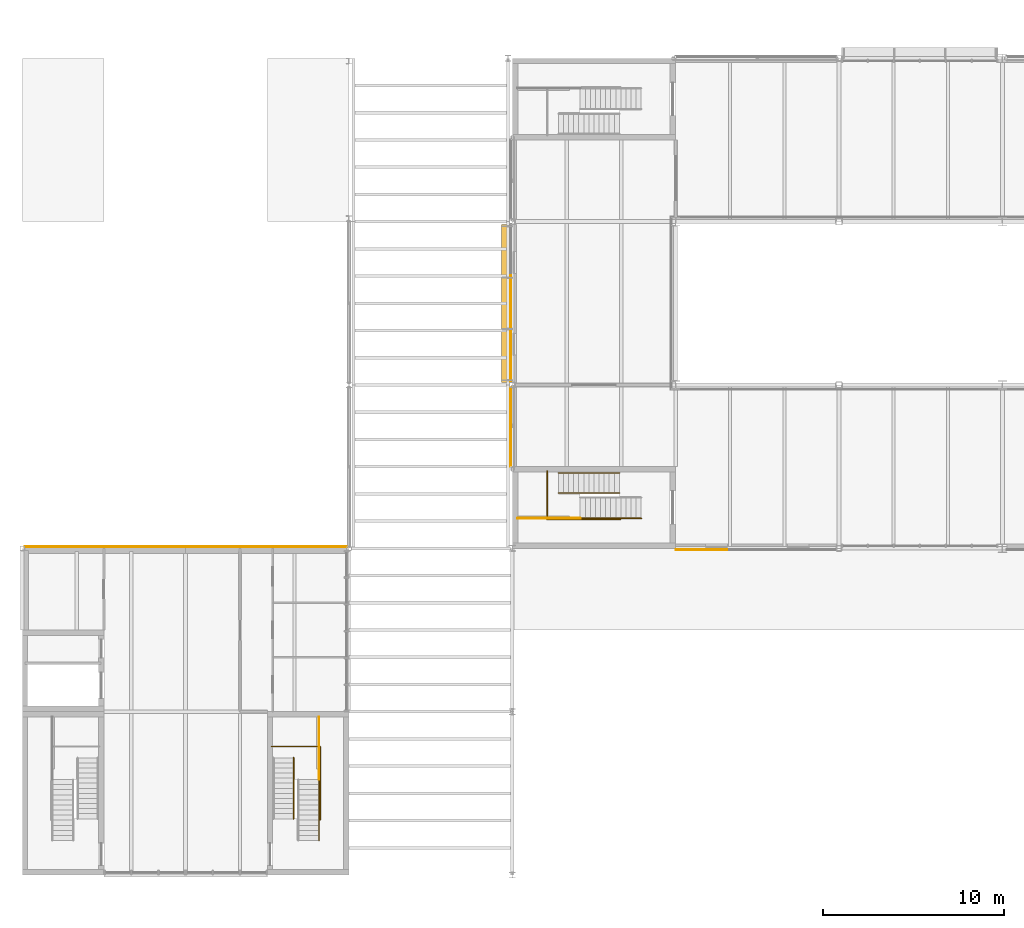
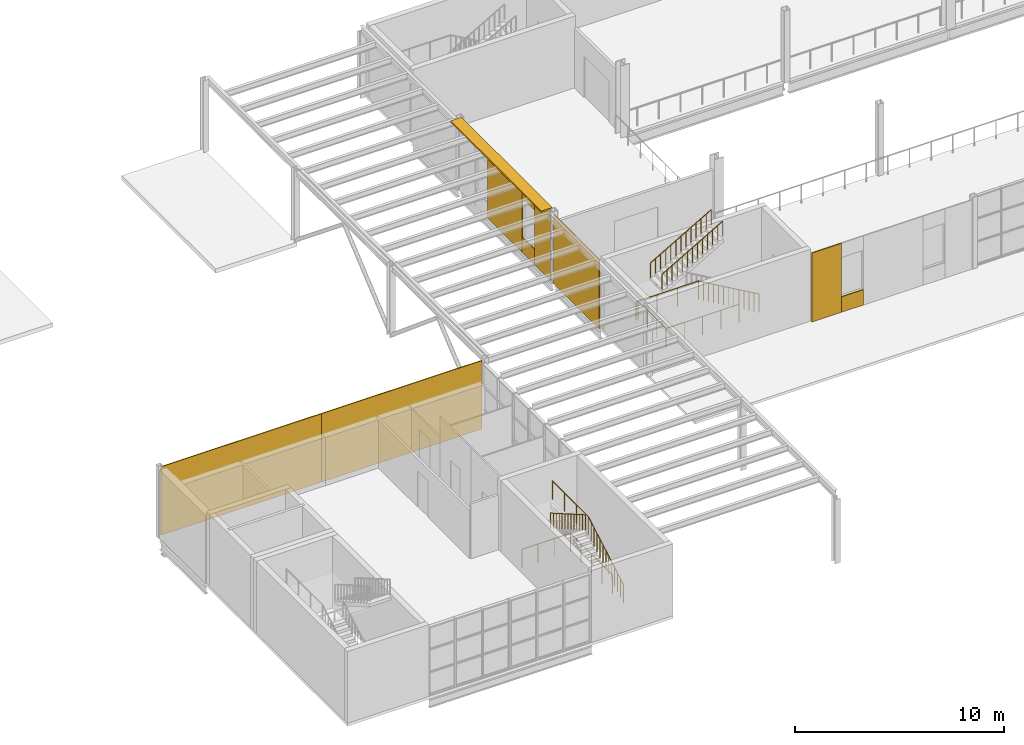
# One storey, part 49 of 57: 9 coverings, 9 railings, 1 shading device.
"""IFC4 building model written with IfcOpenShell, lengths in metres."""

import ifcopenshell
import ifcopenshell.guid

model = None  # the IFC model being written
_history = None  # IfcOwnerHistory: only IFC2X3 demands one
_inside = {}  # id of a spatial element -> (the spatial element, [elements in it])
_under = {}  # id of a project, library or spatial element -> (it, [spatial elements below it])
_declared = {}  # id of a project -> (the project, [libraries it declares])
_typed = {}  # id of a type object -> (the type object, [elements of that type])
_made_of = {}  # id of a material, layer set ... -> (it, [elements and type objects made of it])


def new_model(schema):
    """Start an empty IFC model of exactly this schema.

    Asked for "IFC4X3", IfcOpenShell would pick the latest addendum, in which some entities
    have other attributes; the version numbers below select the first issue.
    IFC2X3 requires an IfcOwnerHistory on every rooted entity: one is made here for all.
    """
    global model, _history
    if schema == "IFC4X3":
        model = ifcopenshell.file(schema_version=(4, 3, 0, 0))
    else:
        model = ifcopenshell.file(schema=schema)
    _inside.clear()
    _under.clear()
    _declared.clear()
    _typed.clear()
    _made_of.clear()
    _history = None
    if model.schema == "IFC2X3":
        org = make("IfcOrganization", Name="unknown")
        user = make(
            "IfcPersonAndOrganization",
            ThePerson=make("IfcPerson", FamilyName="unknown"),
            TheOrganization=org,
        )
        app = make(
            "IfcApplication",
            ApplicationDeveloper=org,
            Version="unknown",
            ApplicationFullName="unknown",
            ApplicationIdentifier="unknown",
        )
        _history = make(
            "IfcOwnerHistory",
            OwningUser=user,
            OwningApplication=app,
            ChangeAction="ADDED",
            CreationDate=0,
        )
    return model


def make(cls, **values):
    """One entity of the class cls with the attributes given. An attribute that is None is left unset."""
    return model.create_entity(
        cls, **{name: value for name, value in values.items() if value is not None}
    )


def rooted(cls, **values):
    """An entity with a GlobalId (a new one), such as an element, a storey or a relation."""
    return make(cls, GlobalId=ifcopenshell.guid.new(), OwnerHistory=_history, **values)


def si_unit(unit_type, name, prefix=None):
    """IfcSIUnit, for example si_unit("LENGTHUNIT", "METRE", prefix="MILLI")."""
    return make("IfcSIUnit", UnitType=unit_type, Prefix=prefix, Name=name)


def assignment(units):
    """IfcUnitAssignment: the units of a project."""
    return None if units is None else make("IfcUnitAssignment", Units=units)


def point(xyz):
    """IfcCartesianPoint."""
    return None if xyz is None else make("IfcCartesianPoint", Coordinates=xyz)


def direction(xyz):
    """IfcDirection."""
    return None if xyz is None else make("IfcDirection", DirectionRatios=xyz)


def frame(location, z_axis=None, x_axis=None):
    """IfcAxis2Placement3D, a coordinate frame: its origin and axes. An axis left out is left unset."""
    return make(
        "IfcAxis2Placement3D",
        Location=point(location),
        Axis=direction(z_axis),
        RefDirection=direction(x_axis),
    )


def frame_2d(location, x_axis=None):
    """IfcAxis2Placement2D, a coordinate frame in the plane: its origin and x axis."""
    return make(
        "IfcAxis2Placement2D", Location=point(location), RefDirection=direction(x_axis)
    )


def origin():
    """The frame at (0, 0, 0) with its axes left unset."""
    return frame((0.0, 0.0, 0.0))


def origin_2d():
    """The frame at (0, 0) in the plane with its x axis left unset."""
    return frame_2d((0.0, 0.0))


def place(relative_to, where):
    """IfcLocalPlacement: puts the frame where relative to a parent placement (None: the world)."""
    return make(
        "IfcLocalPlacement", PlacementRelTo=relative_to, RelativePlacement=where
    )


def context(
    kind, dimensions, precision=None, world=None, true_north=None, identifier=None
):
    """IfcGeometricRepresentationContext, for example the 3D "Model" context."""
    return make(
        "IfcGeometricRepresentationContext",
        ContextIdentifier=identifier,
        ContextType=kind,
        CoordinateSpaceDimension=dimensions,
        Precision=precision,
        WorldCoordinateSystem=world,
        TrueNorth=true_north,
    )


def subcontext(parent, identifier, kind, view, scale=None):
    """IfcGeometricRepresentationSubContext, for example "Body" below "Model"."""
    return make(
        "IfcGeometricRepresentationSubContext",
        ContextIdentifier=identifier,
        ContextType=kind,
        ParentContext=parent,
        TargetScale=scale,
        TargetView=view,
    )


def project(units=None, contexts=None):
    """IfcProject with its units and contexts."""
    return rooted(
        "IfcProject",
        Name="project",
        RepresentationContexts=contexts,
        UnitsInContext=assignment(units),
    )


def spatial(cls, under=None, at=None, **own):
    """A site, building, storey or space (cls), placed at a placement, below another one or the project."""
    s = rooted(cls, ObjectPlacement=at, **own)
    if under is not None:
        _under.setdefault(under.id(), (under, []))[1].append(s)
    return s


def profile(cls, at=None, kind="AREA", **sizes):
    """A parametric profile (cls). Its sizes go by their IFC names, for example OverallWidth=200.0."""
    return make(cls, ProfileType=kind, Position=at, **sizes)


def rectangle(**sizes):
    """IfcRectangleProfileDef."""
    return profile("IfcRectangleProfileDef", **sizes)


def circle(**sizes):
    """IfcCircleProfileDef."""
    return profile("IfcCircleProfileDef", **sizes)


def extrude(swept, where, along, depth):
    """IfcExtrudedAreaSolid: the profile swept, set in the frame where, extruded along a direction by depth."""
    return make(
        "IfcExtrudedAreaSolid",
        SweptArea=swept,
        Position=where,
        ExtrudedDirection=direction(along),
        Depth=depth,
    )


def shape(context_of_items, identifier, shape_type, items):
    """IfcShapeRepresentation: the items that make up one representation, for example the "Body"."""
    return make(
        "IfcShapeRepresentation",
        ContextOfItems=context_of_items,
        RepresentationIdentifier=identifier,
        RepresentationType=shape_type,
        Items=items,
    )


def material(Name=None, Category=None):
    """IfcMaterial."""
    return make("IfcMaterial", Name=Name, Category=Category)


def layer(
    of_material, thickness, ventilated=None, Name=None, Category=None, Priority=None
):
    """IfcMaterialLayer: one layer of a wall or slab, of a material (None: an air gap)."""
    return make(
        "IfcMaterialLayer",
        Material=of_material,
        LayerThickness=thickness,
        IsVentilated=ventilated,
        Name=Name,
        Category=Category,
        Priority=Priority,
    )


def layer_set(layers, Name=None):
    """IfcMaterialLayerSet."""
    return make("IfcMaterialLayerSet", MaterialLayers=layers, LayerSetName=Name)


def made_of(thing, what):
    """Note that an element or type object is made of a material, layer set ...; save() writes the relation."""
    if what is not None:
        _made_of.setdefault(what.id(), (what, []))[1].append(thing)
    return thing


def type_object(cls, material=None, **own):
    """A type object (cls), such as IfcWallType, which elements share."""
    return made_of(rooted(cls, **own), material)


def element(
    cls,
    number,
    at=None,
    inside=None,
    cuts=None,
    type_object=None,
    material=None,
    context=None,
    identifier="Body",
    shape_type=None,
    held_by="IfcProductDefinitionShape",
    body=None,
    shapes=None,
    **own,
):
    """One element of the class cls, such as IfcWall. Its Tag is "e" and its number.

    at: its placement. inside: the storey or other place that contains it. cuts: it is an
    opening in that element (IfcRelVoidsElement). A single representation is given by context,
    identifier, shape_type and body (its items); several are given by shapes. held_by: the class
    of the entity that holds the representations. save() writes the other relations.
    """
    e = rooted(cls, Tag="e%d" % number, ObjectPlacement=at, **own)
    if body is not None:
        shapes = [shape(context, identifier, shape_type, body)]
    if shapes is not None:
        e.Representation = make(held_by, Representations=shapes)
    if inside is not None:
        _inside.setdefault(inside.id(), (inside, []))[1].append(e)
    if cuts is not None:
        rooted(
            "IfcRelVoidsElement", RelatingBuildingElement=cuts, RelatedOpeningElement=e
        )
    if type_object is not None:
        _typed.setdefault(type_object.id(), (type_object, []))[1].append(e)
    return made_of(e, material)


def aggregate(whole, parts):
    """IfcRelAggregates: a whole, such as a stair, and the parts it consists of."""
    return rooted("IfcRelAggregates", RelatingObject=whole, RelatedObjects=parts)


def save(model, path):
    """Write the relations noted so far, then the file.

    IfcRelAggregates (storeys below a building ...), IfcRelContainedInSpatialStructure (elements
    in a storey), IfcRelDefinesByType, IfcRelAssociatesMaterial and IfcRelDeclares: one each for
    every whole, place, type object, material and project.
    """
    for whole, parts in _under.values():
        aggregate(whole, parts)
    for where, things in _inside.values():
        rooted(
            "IfcRelContainedInSpatialStructure",
            RelatedElements=things,
            RelatingStructure=where,
        )
    for kind, things in _typed.values():
        rooted("IfcRelDefinesByType", RelatedObjects=things, RelatingType=kind)
    for what, things in _made_of.values():
        rooted("IfcRelAssociatesMaterial", RelatedObjects=things, RelatingMaterial=what)
    for by, libraries in _declared.values():
        rooted("IfcRelDeclares", RelatingContext=by, RelatedDefinitions=libraries)
    model.write(path)


model = new_model("IFC4")

# Units and contexts
model_context = context("Model", 3, precision=1e-05, world=origin(), true_north=direction((0.0, 1.0)))
body_context = subcontext(model_context, "Body", "Model", "MODEL_VIEW")
ifc_project = project(units=[si_unit("LENGTHUNIT", "METRE"), si_unit("AREAUNIT", "SQUARE_METRE"), si_unit("VOLUMEUNIT", "CUBIC_METRE"), si_unit("PLANEANGLEUNIT", "RADIAN"), si_unit("MASSUNIT", "GRAM", prefix="KILO")], contexts=[model_context])

# Site, building, storey
site_placement = place(None, origin())
site = spatial("IfcSite", under=ifc_project, at=site_placement, CompositionType="ELEMENT")
building_placement = place(site_placement, origin())
building = spatial("IfcBuilding", under=site, at=building_placement, Name="Halyard Row Museum", CompositionType="ELEMENT")
storey_placement = place(building_placement, frame((0.0, 0.0, 5.0)))
storey = spatial("IfcBuildingStorey", under=building, at=storey_placement, Name="L01", CompositionType="ELEMENT", Elevation=5.0)

# Railings
ifc_material_1 = material(Name="Steel Grade 300", Category="steel")
railing_type_1 = type_object("IfcRailingType", Name="Guard GR2 steel balustrade 1100", PredefinedType="GUARDRAIL", material=ifc_material_1)
railing_1_placement = place(storey_placement, frame((34.10009765625, 19.64990234375, 0.16162109375)))
element("IfcRailing", 1, at=railing_1_placement, inside=storey, type_object=railing_type_1, Name="Guard GR033", PredefinedType="GUARDRAIL", context=body_context, shape_type="SweptSolid", body=[
    extrude(circle(Radius=0.02392578125, at=origin_2d()), frame((0.0, 0.0, 1.076171875), z_axis=(-0.866424426198, 0.0, 0.49930823515), x_axis=(0.0, -1.0, 0.0)), (0.0, 0.0, 1.0), 0.3232421875),
    extrude(circle(Radius=0.02392578125, at=origin_2d()), frame((-0.280029296875, 0.0, 1.2373046875), z_axis=(-0.86609757561, 0.0, 0.499874973892), x_axis=(0.0, -1.0, 0.0)), (0.0, 0.0, 1.0), 0.3232421875),
    extrude(circle(Radius=0.02392578125, at=origin_2d()), frame((-0.56005859375, 0.0, 1.39892578125), z_axis=(-0.86609757561, 0.0, 0.499874973892), x_axis=(0.0, -1.0, 0.0)), (0.0, 0.0, 1.0), 0.3232421875),
    extrude(circle(Radius=0.02392578125, at=origin_2d()), frame((-0.840087890625, 0.0, 1.560546875), z_axis=(-0.866424426198, 0.0, 0.49930823515), x_axis=(0.0, -1.0, 0.0)), (0.0, 0.0, 1.0), 0.3232421875),
    extrude(circle(Radius=0.02392578125, at=origin_2d()), frame((-1.1201171875, 0.0, 1.72216796875), z_axis=(-0.86609757561, 0.0, 0.499874973892), x_axis=(0.0, -1.0, 0.0)), (0.0, 0.0, 1.0), 0.3232421875),
    extrude(circle(Radius=0.02392578125, at=origin_2d()), frame((-1.400146484375, 0.0, 1.8837890625), z_axis=(-0.86609757561, 0.0, 0.499874973892), x_axis=(0.0, -1.0, 0.0)), (0.0, 0.0, 1.0), 0.3232421875),
    extrude(circle(Radius=0.02392578125, at=origin_2d()), frame((-1.68017578125, 0.0, 2.04541015625), z_axis=(-0.866424426198, 0.0, 0.49930823515), x_axis=(0.0, -1.0, 0.0)), (0.0, 0.0, 1.0), 0.3232421875),
    extrude(circle(Radius=0.02392578125, at=origin_2d()), frame((-1.960205078125, 0.0, 2.20654296875), z_axis=(-0.865908710228, 0.0, 0.500202064721), x_axis=(0.0, -1.0, 0.0)), (0.0, 0.0, 1.0), 0.322998046875),
    extrude(circle(Radius=0.02392578125, at=origin_2d()), frame((-2.239990234375, 0.0, 2.3681640625), z_axis=(-0.86609757561, 0.0, 0.499874973892), x_axis=(0.0, -1.0, 0.0)), (0.0, 0.0, 1.0), 0.3232421875),
    extrude(circle(Radius=0.02392578125, at=origin_2d()), frame((-2.52001953125, 0.0, 2.52978515625), z_axis=(-0.866424426198, 0.0, 0.49930823515), x_axis=(0.0, -1.0, 0.0)), (0.0, 0.0, 1.0), 0.3232421875),
    extrude(circle(Radius=0.02392578125, at=origin_2d()), frame((-2.800048828125, 0.0, 2.69140625), z_axis=(-0.86609757561, 0.0, 0.499874973892), x_axis=(0.0, -1.0, 0.0)), (0.0, 0.0, 1.0), 0.3232421875),
    extrude(circle(Radius=0.02392578125, at=origin_2d()), frame((-3.080078125, 0.0, 2.85302734375), z_axis=(-0.86609757561, 0.0, 0.499874973892), x_axis=(0.0, -1.0, 0.0)), (0.0, 0.0, 1.0), 0.3232421875),
    extrude(circle(Radius=0.02099609375, at=origin_2d()), origin(), (0.0, 0.0, 1.0), 1.052001953125),
    extrude(circle(Radius=0.02099609375, at=origin_2d()), frame((-0.280029296875, 0.0, 0.161376953125)), (0.0, 0.0, 1.0), 1.052001953125),
    extrude(circle(Radius=0.02099609375, at=origin_2d()), frame((-0.56005859375, 0.0, 0.322998046875)), (0.0, 0.0, 1.0), 1.052001953125),
    extrude(circle(Radius=0.02099609375, at=origin_2d()), frame((-0.840087890625, 0.0, 0.484619140625)), (0.0, 0.0, 1.0), 1.052001953125),
    extrude(circle(Radius=0.02099609375, at=origin_2d()), frame((-1.1201171875, 0.0, 0.64599609375)), (0.0, 0.0, 1.0), 1.052001953125),
    extrude(circle(Radius=0.02099609375, at=origin_2d()), frame((-1.400146484375, 0.0, 0.8076171875)), (0.0, 0.0, 1.0), 1.052001953125),
    extrude(circle(Radius=0.02099609375, at=origin_2d()), frame((-1.68017578125, 0.0, 0.96923828125)), (0.0, 0.0, 1.0), 1.052001953125),
    extrude(circle(Radius=0.02099609375, at=origin_2d()), frame((-1.960205078125, 0.0, 1.130615234375)), (0.0, 0.0, 1.0), 1.052001953125),
    extrude(circle(Radius=0.02099609375, at=origin_2d()), frame((-2.239990234375, 0.0, 1.292236328125)), (0.0, 0.0, 1.0), 1.052001953125),
    extrude(circle(Radius=0.02099609375, at=origin_2d()), frame((-2.52001953125, 0.0, 1.453857421875)), (0.0, 0.0, 1.0), 1.052001953125),
    extrude(circle(Radius=0.02099609375, at=origin_2d()), frame((-2.800048828125, 0.0, 1.615234375)), (0.0, 0.0, 1.0), 1.052001953125),
    extrude(circle(Radius=0.02099609375, at=origin_2d()), frame((-3.080078125, 0.0, 1.77685546875)), (0.0, 0.0, 1.0), 1.052001953125),
    extrude(circle(Radius=0.02099609375, at=origin_2d()), frame((-3.360107421875, 0.0, 1.9384765625)), (0.0, 0.0, 1.0), 1.052001953125),
])
railing_2_placement = place(storey_placement, frame((30.739990234375, 19.64990234375, 2.10009765625)))
element("IfcRailing", 2, at=railing_2_placement, inside=storey, type_object=railing_type_1, Name="Guard GR034", PredefinedType="GUARDRAIL", context=body_context, shape_type="SweptSolid", body=[
    extrude(circle(Radius=0.02392578125, at=origin_2d()), frame((0.0, 0.0, 1.076171875), z_axis=(-1.0, 0.0, 0.0), x_axis=(0.0, -1.0, 0.0)), (0.0, 0.0, 1.0), 3.43994140625),
    extrude(circle(Radius=0.02099609375, at=origin_2d()), origin(), (0.0, 0.0, 1.0), 1.052001953125),
    extrude(circle(Radius=0.02099609375, at=origin_2d()), frame((-1.146728515625, 0.0, 0.0)), (0.0, 0.0, 1.0), 1.052001953125),
    extrude(circle(Radius=0.02099609375, at=origin_2d()), frame((-2.293212890625, 0.0, 0.0)), (0.0, 0.0, 1.0), 1.052001953125),
    extrude(circle(Radius=0.02099609375, at=origin_2d()), frame((-3.43994140625, 0.0, 0.0)), (0.0, 0.0, 1.0), 1.052001953125),
])
railing_3_placement = place(storey_placement, frame((16.35009765625, 1.89990234375, 0.16162109375)))
element("IfcRailing", 3, at=railing_3_placement, inside=storey, type_object=railing_type_1, Name="Guard GR080", PredefinedType="GUARDRAIL", context=body_context, shape_type="SweptSolid", body=[
    extrude(circle(Radius=0.02392578125, at=origin_2d()), frame((0.0, 0.0, 1.076171875), z_axis=(0.0, 0.866424426198, 0.49930823515), x_axis=(-1.0, 0.0, 0.0)), (0.0, 0.0, 1.0), 0.3232421875),
    extrude(circle(Radius=0.02392578125, at=origin_2d()), frame((0.0, 0.280029296875, 1.2373046875), z_axis=(0.0, 0.86609757561, 0.499874973892), x_axis=(-1.0, 0.0, 0.0)), (0.0, 0.0, 1.0), 0.3232421875),
    extrude(circle(Radius=0.02392578125, at=origin_2d()), frame((0.0, 0.56005859375, 1.39892578125), z_axis=(0.0, 0.86609757561, 0.499874973892), x_axis=(-1.0, 0.0, 0.0)), (0.0, 0.0, 1.0), 0.3232421875),
    extrude(circle(Radius=0.02392578125, at=origin_2d()), frame((0.0, 0.840087890625, 1.560546875), z_axis=(0.0, 0.866424426198, 0.49930823515), x_axis=(-1.0, 0.0, 0.0)), (0.0, 0.0, 1.0), 0.3232421875),
    extrude(circle(Radius=0.02392578125, at=origin_2d()), frame((0.0, 1.1201171875, 1.72216796875), z_axis=(0.0, 0.86609757561, 0.499874973892), x_axis=(-1.0, 0.0, 0.0)), (0.0, 0.0, 1.0), 0.3232421875),
    extrude(circle(Radius=0.02392578125, at=origin_2d()), frame((0.0, 1.400146484375, 1.8837890625), z_axis=(0.0, 0.86609757561, 0.499874973892), x_axis=(-1.0, 0.0, 0.0)), (0.0, 0.0, 1.0), 0.3232421875),
    extrude(circle(Radius=0.02392578125, at=origin_2d()), frame((0.0, 1.68017578125, 2.04541015625), z_axis=(0.0, 0.866424426198, 0.49930823515), x_axis=(-1.0, 0.0, 0.0)), (0.0, 0.0, 1.0), 0.3232421875),
    extrude(circle(Radius=0.02392578125, at=origin_2d()), frame((0.0, 1.960205078125, 2.20654296875), z_axis=(0.0, 0.865908710228, 0.500202064721), x_axis=(-1.0, 0.0, 0.0)), (0.0, 0.0, 1.0), 0.322998046875),
    extrude(circle(Radius=0.02392578125, at=origin_2d()), frame((0.0, 2.239990234375, 2.3681640625), z_axis=(0.0, 0.86609757561, 0.499874973892), x_axis=(-1.0, 0.0, 0.0)), (0.0, 0.0, 1.0), 0.3232421875),
    extrude(circle(Radius=0.02392578125, at=origin_2d()), frame((0.0, 2.52001953125, 2.52978515625), z_axis=(0.0, 0.866424426198, 0.49930823515), x_axis=(-1.0, 0.0, 0.0)), (0.0, 0.0, 1.0), 0.3232421875),
    extrude(circle(Radius=0.02392578125, at=origin_2d()), frame((0.0, 2.800048828125, 2.69140625), z_axis=(0.0, 0.86609757561, 0.499874973892), x_axis=(-1.0, 0.0, 0.0)), (0.0, 0.0, 1.0), 0.3232421875),
    extrude(circle(Radius=0.02392578125, at=origin_2d()), frame((0.0, 3.080078125, 2.85302734375), z_axis=(0.0, 0.86609757561, 0.499874973892), x_axis=(-1.0, 0.0, 0.0)), (0.0, 0.0, 1.0), 0.3232421875),
    extrude(circle(Radius=0.02099609375, at=origin_2d()), origin(), (0.0, 0.0, 1.0), 1.052001953125),
    extrude(circle(Radius=0.02099609375, at=origin_2d()), frame((0.0, 0.280029296875, 0.161376953125)), (0.0, 0.0, 1.0), 1.052001953125),
    extrude(circle(Radius=0.02099609375, at=origin_2d()), frame((0.0, 0.56005859375, 0.322998046875)), (0.0, 0.0, 1.0), 1.052001953125),
    extrude(circle(Radius=0.02099609375, at=origin_2d()), frame((0.0, 0.840087890625, 0.484619140625)), (0.0, 0.0, 1.0), 1.052001953125),
    extrude(circle(Radius=0.02099609375, at=origin_2d()), frame((0.0, 1.1201171875, 0.64599609375)), (0.0, 0.0, 1.0), 1.052001953125),
    extrude(circle(Radius=0.02099609375, at=origin_2d()), frame((0.0, 1.400146484375, 0.8076171875)), (0.0, 0.0, 1.0), 1.052001953125),
    extrude(circle(Radius=0.02099609375, at=origin_2d()), frame((0.0, 1.68017578125, 0.96923828125)), (0.0, 0.0, 1.0), 1.052001953125),
    extrude(circle(Radius=0.02099609375, at=origin_2d()), frame((0.0, 1.960205078125, 1.130615234375)), (0.0, 0.0, 1.0), 1.052001953125),
    extrude(circle(Radius=0.02099609375, at=origin_2d()), frame((0.0, 2.239990234375, 1.292236328125)), (0.0, 0.0, 1.0), 1.052001953125),
    extrude(circle(Radius=0.02099609375, at=origin_2d()), frame((0.0, 2.52001953125, 1.453857421875)), (0.0, 0.0, 1.0), 1.052001953125),
    extrude(circle(Radius=0.02099609375, at=origin_2d()), frame((0.0, 2.800048828125, 1.615234375)), (0.0, 0.0, 1.0), 1.052001953125),
    extrude(circle(Radius=0.02099609375, at=origin_2d()), frame((0.0, 3.080078125, 1.77685546875)), (0.0, 0.0, 1.0), 1.052001953125),
    extrude(circle(Radius=0.02099609375, at=origin_2d()), frame((0.0, 3.360107421875, 1.9384765625)), (0.0, 0.0, 1.0), 1.052001953125),
])
railing_4_placement = place(storey_placement, frame((16.35009765625, 5.260009765625, 2.10009765625)))
element("IfcRailing", 4, at=railing_4_placement, inside=storey, type_object=railing_type_1, Name="Guard GR081", PredefinedType="GUARDRAIL", context=body_context, shape_type="SweptSolid", body=[
    extrude(circle(Radius=0.02392578125, at=origin_2d()), frame((0.0, 0.0, 1.076171875), z_axis=(0.0, 1.0, 0.0), x_axis=(-1.0, 0.0, 0.0)), (0.0, 0.0, 1.0), 3.43994140625),
    extrude(circle(Radius=0.02099609375, at=origin_2d()), origin(), (0.0, 0.0, 1.0), 1.052001953125),
    extrude(circle(Radius=0.02099609375, at=origin_2d()), frame((0.0, 1.146728515625, 0.0)), (0.0, 0.0, 1.0), 1.052001953125),
    extrude(circle(Radius=0.02099609375, at=origin_2d()), frame((0.0, 2.293212890625, 0.0)), (0.0, 0.0, 1.0), 1.052001953125),
    extrude(circle(Radius=0.02099609375, at=origin_2d()), frame((0.0, 3.43994140625, 0.0)), (0.0, 0.0, 1.0), 1.052001953125),
])
railing_5_placement = place(storey_placement, frame((32.9599609375, 19.590087890625, 0.0)))
element("IfcRailing", 5, at=railing_5_placement, inside=storey, type_object=railing_type_1, Name="Guard GR152", PredefinedType="GUARDRAIL", context=body_context, shape_type="SweptSolid", body=[
    extrude(circle(Radius=0.02392578125, at=origin_2d()), frame((0.0, 0.0, 1.076171875), z_axis=(-1.0, 0.0, 0.0), x_axis=(0.0, -1.0, 0.0)), (0.0, 0.0, 1.0), 4.0400390625),
    extrude(circle(Radius=0.02392578125, at=origin_2d()), frame((-4.0400390625, 0.0, 1.076171875), z_axis=(0.0, 1.0, 0.0), x_axis=(-1.0, 0.0, 0.0)), (0.0, 0.0, 1.0), 2.669921875),
    extrude(circle(Radius=0.02099609375, at=origin_2d()), origin(), (0.0, 0.0, 1.0), 1.052001953125),
    extrude(circle(Radius=0.02099609375, at=origin_2d()), frame((-1.010009765625, 0.0, 0.0)), (0.0, 0.0, 1.0), 1.052001953125),
    extrude(circle(Radius=0.02099609375, at=origin_2d()), frame((-2.02001953125, 0.0, 0.0)), (0.0, 0.0, 1.0), 1.052001953125),
    extrude(circle(Radius=0.02099609375, at=origin_2d()), frame((-3.030029296875, 0.0, 0.0)), (0.0, 0.0, 1.0), 1.052001953125),
    extrude(circle(Radius=0.02099609375, at=origin_2d()), frame((-4.0400390625, 0.0, 0.0)), (0.0, 0.0, 1.0), 1.052001953125),
    extrude(circle(Radius=0.02099609375, at=origin_2d()), frame((-4.0400390625, 0.889892578125, 0.0)), (0.0, 0.0, 1.0), 1.052001953125),
    extrude(circle(Radius=0.02099609375, at=origin_2d()), frame((-4.0400390625, 1.780029296875, 0.0)), (0.0, 0.0, 1.0), 1.052001953125),
    extrude(circle(Radius=0.02099609375, at=origin_2d()), frame((-4.0400390625, 2.669921875, 0.0)), (0.0, 0.0, 1.0), 1.052001953125),
])
railing_6_placement = place(storey_placement, frame((13.739990234375, 7.080078125, 0.0)))
element("IfcRailing", 6, at=railing_6_placement, inside=storey, type_object=railing_type_1, Name="Guard GR171", PredefinedType="GUARDRAIL", context=body_context, shape_type="SweptSolid", body=[
    extrude(circle(Radius=0.02392578125, at=origin_2d()), frame((0.0, 0.0, 1.076171875), z_axis=(1.0, 0.0, 0.0), x_axis=(0.0, 1.0, 0.0)), (0.0, 0.0, 1.0), 2.669921875),
    extrude(circle(Radius=0.02392578125, at=origin_2d()), frame((2.669921875, 0.0, 1.076171875), z_axis=(0.0, -1.0, 0.0), x_axis=(1.0, 0.0, 0.0)), (0.0, 0.0, 1.0), 4.0400390625),
    extrude(circle(Radius=0.02099609375, at=origin_2d()), origin(), (0.0, 0.0, 1.0), 1.052001953125),
    extrude(circle(Radius=0.02099609375, at=origin_2d()), frame((0.889892578125, 0.0, 0.0)), (0.0, 0.0, 1.0), 1.052001953125),
    extrude(circle(Radius=0.02099609375, at=origin_2d()), frame((1.780029296875, 0.0, 0.0)), (0.0, 0.0, 1.0), 1.052001953125),
    extrude(circle(Radius=0.02099609375, at=origin_2d()), frame((2.669921875, 0.0, 0.0)), (0.0, 0.0, 1.0), 1.052001953125),
    extrude(circle(Radius=0.02099609375, at=origin_2d()), frame((2.669921875, -1.010009765625, 0.0)), (0.0, 0.0, 1.0), 1.052001953125),
    extrude(circle(Radius=0.02099609375, at=origin_2d()), frame((2.669921875, -2.02001953125, 0.0)), (0.0, 0.0, 1.0), 1.052001953125),
    extrude(circle(Radius=0.02099609375, at=origin_2d()), frame((2.669921875, -3.030029296875, 0.0)), (0.0, 0.0, 1.0), 1.052001953125),
    extrude(circle(Radius=0.02099609375, at=origin_2d()), frame((2.669921875, -4.0400390625, 0.0)), (0.0, 0.0, 1.0), 1.052001953125),
])
ifc_material_2 = material(Name="Steel Grade 300", Category="steel")
railing_type_2 = type_object("IfcRailingType", Name="Handrail HR2 steel 900", PredefinedType="HANDRAIL", material=ifc_material_2)
railing_7_placement = place(storey_placement, frame((29.5400390625, 22.14990234375, 2.261474609375)))
element("IfcRailing", 7, at=railing_7_placement, inside=storey, type_object=railing_type_2, Name="Handrail HR050", PredefinedType="HANDRAIL", context=body_context, shape_type="SweptSolid", body=[
    extrude(circle(Radius=0.02392578125, at=origin_2d()), frame((0.0, 0.0, 0.8759765625), z_axis=(0.86609757561, 0.0, 0.499874973892), x_axis=(0.0, 1.0, 0.0)), (0.0, 0.0, 1.0), 0.3232421875),
    extrude(circle(Radius=0.02392578125, at=origin_2d()), frame((0.280029296875, 0.0, 1.03759765625), z_axis=(0.86609757561, 0.0, 0.499874973892), x_axis=(0.0, 1.0, 0.0)), (0.0, 0.0, 1.0), 0.3232421875),
    extrude(circle(Radius=0.02392578125, at=origin_2d()), frame((0.56005859375, 0.0, 1.19921875), z_axis=(0.866235917577, 0.0, 0.499635202023), x_axis=(0.0, 1.0, 0.0)), (0.0, 0.0, 1.0), 0.322998046875),
    extrude(circle(Radius=0.02392578125, at=origin_2d()), frame((0.83984375, 0.0, 1.3603515625), z_axis=(0.86609757561, 0.0, 0.499874973892), x_axis=(0.0, 1.0, 0.0)), (0.0, 0.0, 1.0), 0.3232421875),
    extrude(circle(Radius=0.02392578125, at=origin_2d()), frame((1.119873046875, 0.0, 1.52197265625), z_axis=(0.86609757561, 0.0, 0.499874973892), x_axis=(0.0, 1.0, 0.0)), (0.0, 0.0, 1.0), 0.3232421875),
    extrude(circle(Radius=0.02392578125, at=origin_2d()), frame((1.39990234375, 0.0, 1.68359375), z_axis=(0.866424426198, 0.0, 0.49930823515), x_axis=(0.0, 1.0, 0.0)), (0.0, 0.0, 1.0), 0.3232421875),
    extrude(circle(Radius=0.02392578125, at=origin_2d()), frame((1.679931640625, 0.0, 1.84521484375), z_axis=(0.86609757561, 0.0, 0.499874973892), x_axis=(0.0, 1.0, 0.0)), (0.0, 0.0, 1.0), 0.3232421875),
    extrude(circle(Radius=0.02392578125, at=origin_2d()), frame((1.9599609375, 0.0, 2.0068359375), z_axis=(0.86609757561, 0.0, 0.499874973892), x_axis=(0.0, 1.0, 0.0)), (0.0, 0.0, 1.0), 0.3232421875),
    extrude(circle(Radius=0.02392578125, at=origin_2d()), frame((2.239990234375, 0.0, 2.16845703125), z_axis=(0.866424426198, 0.0, 0.49930823515), x_axis=(0.0, 1.0, 0.0)), (0.0, 0.0, 1.0), 0.3232421875),
    extrude(circle(Radius=0.02392578125, at=origin_2d()), frame((2.52001953125, 0.0, 2.32958984375), z_axis=(0.86609757561, 0.0, 0.499874973892), x_axis=(0.0, 1.0, 0.0)), (0.0, 0.0, 1.0), 0.3232421875),
    extrude(circle(Radius=0.02392578125, at=origin_2d()), frame((2.800048828125, 0.0, 2.4912109375), z_axis=(0.86609757561, 0.0, 0.499874973892), x_axis=(0.0, 1.0, 0.0)), (0.0, 0.0, 1.0), 0.3232421875),
    extrude(circle(Radius=0.02392578125, at=origin_2d()), frame((3.080078125, 0.0, 2.65283203125), z_axis=(0.866235917577, 0.0, 0.499635202023), x_axis=(0.0, 1.0, 0.0)), (0.0, 0.0, 1.0), 0.322998046875),
    extrude(circle(Radius=0.02099609375, at=origin_2d()), origin(), (0.0, 0.0, 1.0), 0.851806640625),
    extrude(circle(Radius=0.02099609375, at=origin_2d()), frame((0.280029296875, 0.0, 0.16162109375)), (0.0, 0.0, 1.0), 0.851806640625),
    extrude(circle(Radius=0.02099609375, at=origin_2d()), frame((0.56005859375, 0.0, 0.3232421875)), (0.0, 0.0, 1.0), 0.851806640625),
    extrude(circle(Radius=0.02099609375, at=origin_2d()), frame((0.83984375, 0.0, 0.484619140625)), (0.0, 0.0, 1.0), 0.851806640625),
    extrude(circle(Radius=0.02099609375, at=origin_2d()), frame((1.119873046875, 0.0, 0.646240234375)), (0.0, 0.0, 1.0), 0.851806640625),
    extrude(circle(Radius=0.02099609375, at=origin_2d()), frame((1.39990234375, 0.0, 0.807861328125)), (0.0, 0.0, 1.0), 0.851806640625),
    extrude(circle(Radius=0.02099609375, at=origin_2d()), frame((1.679931640625, 0.0, 0.96923828125)), (0.0, 0.0, 1.0), 0.851806640625),
    extrude(circle(Radius=0.02099609375, at=origin_2d()), frame((1.9599609375, 0.0, 1.130859375)), (0.0, 0.0, 1.0), 0.851806640625),
    extrude(circle(Radius=0.02099609375, at=origin_2d()), frame((2.239990234375, 0.0, 1.29248046875)), (0.0, 0.0, 1.0), 0.851806640625),
    extrude(circle(Radius=0.02099609375, at=origin_2d()), frame((2.52001953125, 0.0, 1.453857421875)), (0.0, 0.0, 1.0), 0.851806640625),
    extrude(circle(Radius=0.02099609375, at=origin_2d()), frame((2.800048828125, 0.0, 1.615478515625)), (0.0, 0.0, 1.0), 0.851806640625),
    extrude(circle(Radius=0.02099609375, at=origin_2d()), frame((3.080078125, 0.0, 1.777099609375)), (0.0, 0.0, 1.0), 0.851806640625),
    extrude(circle(Radius=0.02099609375, at=origin_2d()), frame((3.35986328125, 0.0, 1.9384765625)), (0.0, 0.0, 1.0), 0.851806640625),
])
railing_8_placement = place(storey_placement, frame((29.5400390625, 21.050048828125, 2.261474609375)))
element("IfcRailing", 8, at=railing_8_placement, inside=storey, type_object=railing_type_2, Name="Handrail HR051", PredefinedType="HANDRAIL", context=body_context, shape_type="SweptSolid", body=[
    extrude(circle(Radius=0.02392578125, at=origin_2d()), frame((0.0, 0.0, 0.8759765625), z_axis=(0.86609757561, 0.0, 0.499874973892), x_axis=(0.0, 1.0, 0.0)), (0.0, 0.0, 1.0), 0.3232421875),
    extrude(circle(Radius=0.02392578125, at=origin_2d()), frame((0.280029296875, 0.0, 1.03759765625), z_axis=(0.86609757561, 0.0, 0.499874973892), x_axis=(0.0, 1.0, 0.0)), (0.0, 0.0, 1.0), 0.3232421875),
    extrude(circle(Radius=0.02392578125, at=origin_2d()), frame((0.56005859375, 0.0, 1.19921875), z_axis=(0.866235917577, 0.0, 0.499635202023), x_axis=(0.0, 1.0, 0.0)), (0.0, 0.0, 1.0), 0.322998046875),
    extrude(circle(Radius=0.02392578125, at=origin_2d()), frame((0.83984375, 0.0, 1.3603515625), z_axis=(0.86609757561, 0.0, 0.499874973892), x_axis=(0.0, 1.0, 0.0)), (0.0, 0.0, 1.0), 0.3232421875),
    extrude(circle(Radius=0.02392578125, at=origin_2d()), frame((1.119873046875, 0.0, 1.52197265625), z_axis=(0.86609757561, 0.0, 0.499874973892), x_axis=(0.0, 1.0, 0.0)), (0.0, 0.0, 1.0), 0.3232421875),
    extrude(circle(Radius=0.02392578125, at=origin_2d()), frame((1.39990234375, 0.0, 1.68359375), z_axis=(0.866424426198, 0.0, 0.49930823515), x_axis=(0.0, 1.0, 0.0)), (0.0, 0.0, 1.0), 0.3232421875),
    extrude(circle(Radius=0.02392578125, at=origin_2d()), frame((1.679931640625, 0.0, 1.84521484375), z_axis=(0.86609757561, 0.0, 0.499874973892), x_axis=(0.0, 1.0, 0.0)), (0.0, 0.0, 1.0), 0.3232421875),
    extrude(circle(Radius=0.02392578125, at=origin_2d()), frame((1.9599609375, 0.0, 2.0068359375), z_axis=(0.86609757561, 0.0, 0.499874973892), x_axis=(0.0, 1.0, 0.0)), (0.0, 0.0, 1.0), 0.3232421875),
    extrude(circle(Radius=0.02392578125, at=origin_2d()), frame((2.239990234375, 0.0, 2.16845703125), z_axis=(0.866424426198, 0.0, 0.49930823515), x_axis=(0.0, 1.0, 0.0)), (0.0, 0.0, 1.0), 0.3232421875),
    extrude(circle(Radius=0.02392578125, at=origin_2d()), frame((2.52001953125, 0.0, 2.32958984375), z_axis=(0.86609757561, 0.0, 0.499874973892), x_axis=(0.0, 1.0, 0.0)), (0.0, 0.0, 1.0), 0.3232421875),
    extrude(circle(Radius=0.02392578125, at=origin_2d()), frame((2.800048828125, 0.0, 2.4912109375), z_axis=(0.86609757561, 0.0, 0.499874973892), x_axis=(0.0, 1.0, 0.0)), (0.0, 0.0, 1.0), 0.3232421875),
    extrude(circle(Radius=0.02392578125, at=origin_2d()), frame((3.080078125, 0.0, 2.65283203125), z_axis=(0.866235917577, 0.0, 0.499635202023), x_axis=(0.0, 1.0, 0.0)), (0.0, 0.0, 1.0), 0.322998046875),
    extrude(circle(Radius=0.02099609375, at=origin_2d()), origin(), (0.0, 0.0, 1.0), 0.851806640625),
    extrude(circle(Radius=0.02099609375, at=origin_2d()), frame((0.280029296875, 0.0, 0.16162109375)), (0.0, 0.0, 1.0), 0.851806640625),
    extrude(circle(Radius=0.02099609375, at=origin_2d()), frame((0.56005859375, 0.0, 0.3232421875)), (0.0, 0.0, 1.0), 0.851806640625),
    extrude(circle(Radius=0.02099609375, at=origin_2d()), frame((0.83984375, 0.0, 0.484619140625)), (0.0, 0.0, 1.0), 0.851806640625),
    extrude(circle(Radius=0.02099609375, at=origin_2d()), frame((1.119873046875, 0.0, 0.646240234375)), (0.0, 0.0, 1.0), 0.851806640625),
    extrude(circle(Radius=0.02099609375, at=origin_2d()), frame((1.39990234375, 0.0, 0.807861328125)), (0.0, 0.0, 1.0), 0.851806640625),
    extrude(circle(Radius=0.02099609375, at=origin_2d()), frame((1.679931640625, 0.0, 0.96923828125)), (0.0, 0.0, 1.0), 0.851806640625),
    extrude(circle(Radius=0.02099609375, at=origin_2d()), frame((1.9599609375, 0.0, 1.130859375)), (0.0, 0.0, 1.0), 0.851806640625),
    extrude(circle(Radius=0.02099609375, at=origin_2d()), frame((2.239990234375, 0.0, 1.29248046875)), (0.0, 0.0, 1.0), 0.851806640625),
    extrude(circle(Radius=0.02099609375, at=origin_2d()), frame((2.52001953125, 0.0, 1.453857421875)), (0.0, 0.0, 1.0), 0.851806640625),
    extrude(circle(Radius=0.02099609375, at=origin_2d()), frame((2.800048828125, 0.0, 1.615478515625)), (0.0, 0.0, 1.0), 0.851806640625),
    extrude(circle(Radius=0.02099609375, at=origin_2d()), frame((3.080078125, 0.0, 1.777099609375)), (0.0, 0.0, 1.0), 0.851806640625),
    extrude(circle(Radius=0.02099609375, at=origin_2d()), frame((3.35986328125, 0.0, 1.9384765625)), (0.0, 0.0, 1.0), 0.851806640625),
])
railing_9_placement = place(storey_placement, frame((14.949951171875, 6.4599609375, 2.261474609375)))
element("IfcRailing", 9, at=railing_9_placement, inside=storey, type_object=railing_type_2, Name="Handrail HR117", PredefinedType="HANDRAIL", context=body_context, shape_type="SweptSolid", body=[
    extrude(circle(Radius=0.02392578125, at=origin_2d()), frame((0.0, 0.0, 0.8759765625), z_axis=(0.0, -0.86609757561, 0.499874973892), x_axis=(1.0, 0.0, 0.0)), (0.0, 0.0, 1.0), 0.3232421875),
    extrude(circle(Radius=0.02392578125, at=origin_2d()), frame((0.0, -0.280029296875, 1.03759765625), z_axis=(0.0, -0.86609757561, 0.499874973892), x_axis=(1.0, 0.0, 0.0)), (0.0, 0.0, 1.0), 0.3232421875),
    extrude(circle(Radius=0.02392578125, at=origin_2d()), frame((0.0, -0.56005859375, 1.19921875), z_axis=(0.0, -0.866235917577, 0.499635202023), x_axis=(1.0, 0.0, 0.0)), (0.0, 0.0, 1.0), 0.322998046875),
    extrude(circle(Radius=0.02392578125, at=origin_2d()), frame((0.0, -0.83984375, 1.3603515625), z_axis=(0.0, -0.86609757561, 0.499874973892), x_axis=(1.0, 0.0, 0.0)), (0.0, 0.0, 1.0), 0.3232421875),
    extrude(circle(Radius=0.02392578125, at=origin_2d()), frame((0.0, -1.119873046875, 1.52197265625), z_axis=(0.0, -0.86609757561, 0.499874973892), x_axis=(1.0, 0.0, 0.0)), (0.0, 0.0, 1.0), 0.3232421875),
    extrude(circle(Radius=0.02392578125, at=origin_2d()), frame((0.0, -1.39990234375, 1.68359375), z_axis=(0.0, -0.866424426198, 0.49930823515), x_axis=(1.0, 0.0, 0.0)), (0.0, 0.0, 1.0), 0.3232421875),
    extrude(circle(Radius=0.02392578125, at=origin_2d()), frame((0.0, -1.679931640625, 1.84521484375), z_axis=(0.0, -0.86609757561, 0.499874973892), x_axis=(1.0, 0.0, 0.0)), (0.0, 0.0, 1.0), 0.3232421875),
    extrude(circle(Radius=0.02392578125, at=origin_2d()), frame((0.0, -1.9599609375, 2.0068359375), z_axis=(0.0, -0.86609757561, 0.499874973892), x_axis=(1.0, 0.0, 0.0)), (0.0, 0.0, 1.0), 0.3232421875),
    extrude(circle(Radius=0.02392578125, at=origin_2d()), frame((0.0, -2.239990234375, 2.16845703125), z_axis=(0.0, -0.866424426198, 0.49930823515), x_axis=(1.0, 0.0, 0.0)), (0.0, 0.0, 1.0), 0.3232421875),
    extrude(circle(Radius=0.02392578125, at=origin_2d()), frame((0.0, -2.52001953125, 2.32958984375), z_axis=(0.0, -0.86609757561, 0.499874973892), x_axis=(1.0, 0.0, 0.0)), (0.0, 0.0, 1.0), 0.3232421875),
    extrude(circle(Radius=0.02392578125, at=origin_2d()), frame((0.0, -2.800048828125, 2.4912109375), z_axis=(0.0, -0.86609757561, 0.499874973892), x_axis=(1.0, 0.0, 0.0)), (0.0, 0.0, 1.0), 0.3232421875),
    extrude(circle(Radius=0.02392578125, at=origin_2d()), frame((0.0, -3.080078125, 2.65283203125), z_axis=(0.0, -0.866235917577, 0.499635202023), x_axis=(1.0, 0.0, 0.0)), (0.0, 0.0, 1.0), 0.322998046875),
    extrude(circle(Radius=0.02099609375, at=origin_2d()), origin(), (0.0, 0.0, 1.0), 0.851806640625),
    extrude(circle(Radius=0.02099609375, at=origin_2d()), frame((0.0, -0.280029296875, 0.16162109375)), (0.0, 0.0, 1.0), 0.851806640625),
    extrude(circle(Radius=0.02099609375, at=origin_2d()), frame((0.0, -0.56005859375, 0.3232421875)), (0.0, 0.0, 1.0), 0.851806640625),
    extrude(circle(Radius=0.02099609375, at=origin_2d()), frame((0.0, -0.83984375, 0.484619140625)), (0.0, 0.0, 1.0), 0.851806640625),
    extrude(circle(Radius=0.02099609375, at=origin_2d()), frame((0.0, -1.119873046875, 0.646240234375)), (0.0, 0.0, 1.0), 0.851806640625),
    extrude(circle(Radius=0.02099609375, at=origin_2d()), frame((0.0, -1.39990234375, 0.807861328125)), (0.0, 0.0, 1.0), 0.851806640625),
    extrude(circle(Radius=0.02099609375, at=origin_2d()), frame((0.0, -1.679931640625, 0.96923828125)), (0.0, 0.0, 1.0), 0.851806640625),
    extrude(circle(Radius=0.02099609375, at=origin_2d()), frame((0.0, -1.9599609375, 1.130859375)), (0.0, 0.0, 1.0), 0.851806640625),
    extrude(circle(Radius=0.02099609375, at=origin_2d()), frame((0.0, -2.239990234375, 1.29248046875)), (0.0, 0.0, 1.0), 0.851806640625),
    extrude(circle(Radius=0.02099609375, at=origin_2d()), frame((0.0, -2.52001953125, 1.453857421875)), (0.0, 0.0, 1.0), 0.851806640625),
    extrude(circle(Radius=0.02099609375, at=origin_2d()), frame((0.0, -2.800048828125, 1.615478515625)), (0.0, 0.0, 1.0), 0.851806640625),
    extrude(circle(Radius=0.02099609375, at=origin_2d()), frame((0.0, -3.080078125, 1.777099609375)), (0.0, 0.0, 1.0), 0.851806640625),
    extrude(circle(Radius=0.02099609375, at=origin_2d()), frame((0.0, -3.35986328125, 1.9384765625)), (0.0, 0.0, 1.0), 0.851806640625),
])

# Coverings
ifc_material_3 = material(Name="Fire-retardant Type A timber battens", Category="wood")
ifc_layer_1 = layer(ifc_material_3, 0.050048828125)
ifc_layer_set_1 = layer_set([ifc_layer_1], Name="Fire-retardant Type A timber battens")
covering_type = type_object("IfcCoveringType", Name="Timber batten cladding 50", PredefinedType="CLADDING", material=ifc_layer_set_1)
covering_1_placement = place(storey_placement, frame((26.9150390625, 33.14990234375, 0.0), z_axis=(0.0, 0.0, 1.0), x_axis=(0.0, -1.0, 0.0)))
element("IfcCovering", 10, at=covering_1_placement, inside=storey, type_object=covering_type, Name="Cladding CLL01-005", PredefinedType="CLADDING", context=body_context, shape_type="SweptSolid", body=[
    extrude(rectangle(XDim=3.2998046875, YDim=0.050048828125, at=frame_2d((1.64990234375, 0.0))), origin(), (0.0, 0.0, 1.0), 4.034912109375),
])
covering_2_placement = place(storey_placement, frame((26.9150390625, 28.64990234375, 0.0), z_axis=(0.0, 0.0, 1.0), x_axis=(0.0, -1.0, 0.0)))
element("IfcCovering", 11, at=covering_2_placement, inside=storey, type_object=covering_type, Name="Cladding CLL01-006", PredefinedType="CLADDING", context=body_context, shape_type="SweptSolid", body=[
    extrude(rectangle(XDim=1.5, YDim=0.050048828125, at=frame_2d((0.75, 0.0))), origin(), (0.0, 0.0, 1.0), 4.034912109375),
])
covering_3_placement = place(storey_placement, frame((26.9150390625, 29.85009765625, 0.0), z_axis=(0.0, 0.0, 1.0), x_axis=(0.0, -1.0, 0.0)))
element("IfcCovering", 12, at=covering_3_placement, inside=storey, type_object=covering_type, Name="Cladding CLL01-009", PredefinedType="CLADDING", context=body_context, shape_type="SweptSolid", body=[
    extrude(rectangle(XDim=1.2001953125, YDim=0.050048828125, at=frame_2d((0.60009765625, 0.0))), origin(), (0.0, 0.0, 1.0), 0.89990234375),
])
covering_4_placement = place(storey_placement, frame((26.9150390625, 29.85009765625, 3.199951171875), z_axis=(0.0, 0.0, 1.0), x_axis=(0.0, -1.0, 0.0)))
element("IfcCovering", 13, at=covering_4_placement, inside=storey, type_object=covering_type, Name="Cladding CLL01-010", PredefinedType="CLADDING", context=body_context, shape_type="SweptSolid", body=[
    extrude(rectangle(XDim=1.2001953125, YDim=0.050048828125, at=frame_2d((0.60009765625, 0.0))), origin(), (0.0, 0.0, 1.0), 0.8349609375),
])
covering_5_placement = place(storey_placement, frame((26.9150390625, 26.85009765625, 0.0), z_axis=(0.0, 0.0, 1.0), x_axis=(0.0, -1.0, 0.0)))
element("IfcCovering", 14, at=covering_5_placement, inside=storey, type_object=covering_type, Name="Cladding CLL01-011", PredefinedType="CLADDING", context=body_context, shape_type="SweptSolid", body=[
    extrude(rectangle(XDim=4.35009765625, YDim=0.050048828125, at=frame_2d((2.175048828125, 0.0))), origin(), (0.0, 0.0, 1.0), 4.034912109375),
])
covering_6_placement = place(storey_placement, frame((36.0, 17.9150390625, 0.0), z_axis=(0.0, 0.0, 1.0), x_axis=(1.0, 0.0, 0.0)))
element("IfcCovering", 15, at=covering_6_placement, inside=storey, type_object=covering_type, Name="Cladding CLL01-012", PredefinedType="CLADDING", context=body_context, shape_type="SweptSolid", body=[
    extrude(rectangle(XDim=1.64990234375, YDim=0.050048828125, at=frame_2d((0.824951171875, 0.0))), origin(), (0.0, 0.0, 1.0), 4.034912109375),
])
covering_7_placement = place(storey_placement, frame((37.64990234375, 17.9150390625, 0.0), z_axis=(0.0, 0.0, 1.0), x_axis=(1.0, 0.0, 0.0)))
element("IfcCovering", 16, at=covering_7_placement, inside=storey, type_object=covering_type, Name="Cladding CLL01-015", PredefinedType="CLADDING", context=body_context, shape_type="SweptSolid", body=[
    extrude(rectangle(XDim=1.2001953125, YDim=0.050048828125, at=frame_2d((0.60009765625, 0.0))), origin(), (0.0, 0.0, 1.0), 0.89990234375),
])
for number, where, z_axis, x_axis, name in (
    (17, (17.875, 18.0849609375, 0.0), (0.0, 0.0, 1.0), (-1.0, 0.0, 0.0), "Cladding CLL01-027"),
    (18, (9.0, 18.0849609375, 0.0), (0.0, 0.0, 1.0), (-1.0, 0.0, 0.0), "Cladding CLL01-028"),
):
    element("IfcCovering", number, at=place(storey_placement, frame(where, z_axis=z_axis, x_axis=x_axis)), inside=storey, type_object=covering_type, Name=name, PredefinedType="CLADDING", context=body_context, shape_type="SweptSolid", body=[
        extrude(rectangle(XDim=8.875, YDim=0.050048828125, at=frame_2d((4.4375, 0.0))), origin(), (0.0, 0.0, 1.0), 4.0),
    ])

# Shading device
ifc_material_4 = material(Name="Glue-laminated timber GL12, oiled", Category="wood")
ifc_layer_2 = layer(ifc_material_4, 0.10009765625)
ifc_layer_set_2 = layer_set([ifc_layer_2], Name="Glue-laminated timber GL12, oiled")
shading_device_type = type_object("IfcShadingDeviceType", Name="Timber louvre blade 100 x 600", PredefinedType="USERDEFINED", material=ifc_layer_set_2)
shading_device_placement = place(storey_placement, frame((26.699951171875, 31.5, 4.135009765625), z_axis=(0.0, 0.0, 1.0), x_axis=(1.0, 0.0, 0.0)))
element("IfcShadingDevice", 19, at=shading_device_placement, inside=storey, type_object=shading_device_type, Name="Timber louvre", ObjectType="LOUVRE", PredefinedType="USERDEFINED", context=body_context, shape_type="SweptSolid", body=[
    extrude(rectangle(XDim=0.60009765625, YDim=8.699951171875, at=origin_2d()), origin(), (0.0, 0.0, 1.0), 0.10009765625),
])

save(model, "model.ifc")
